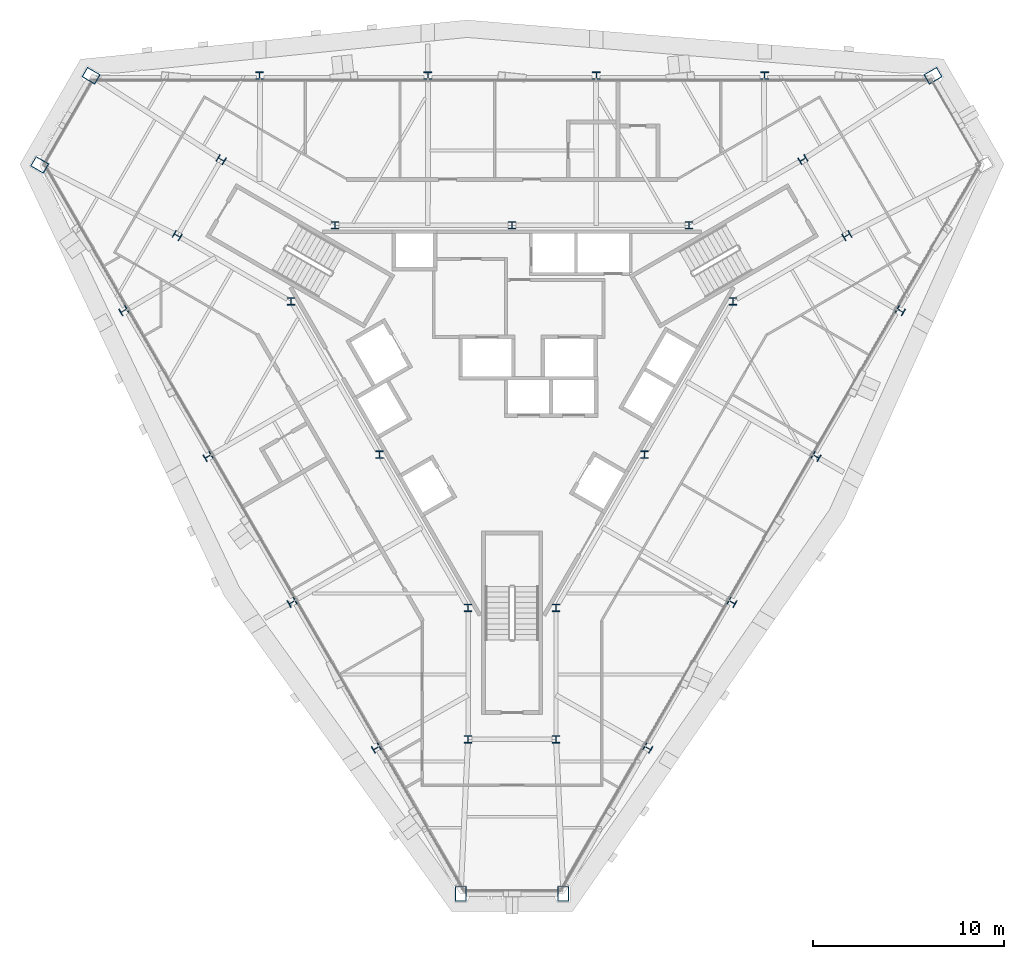
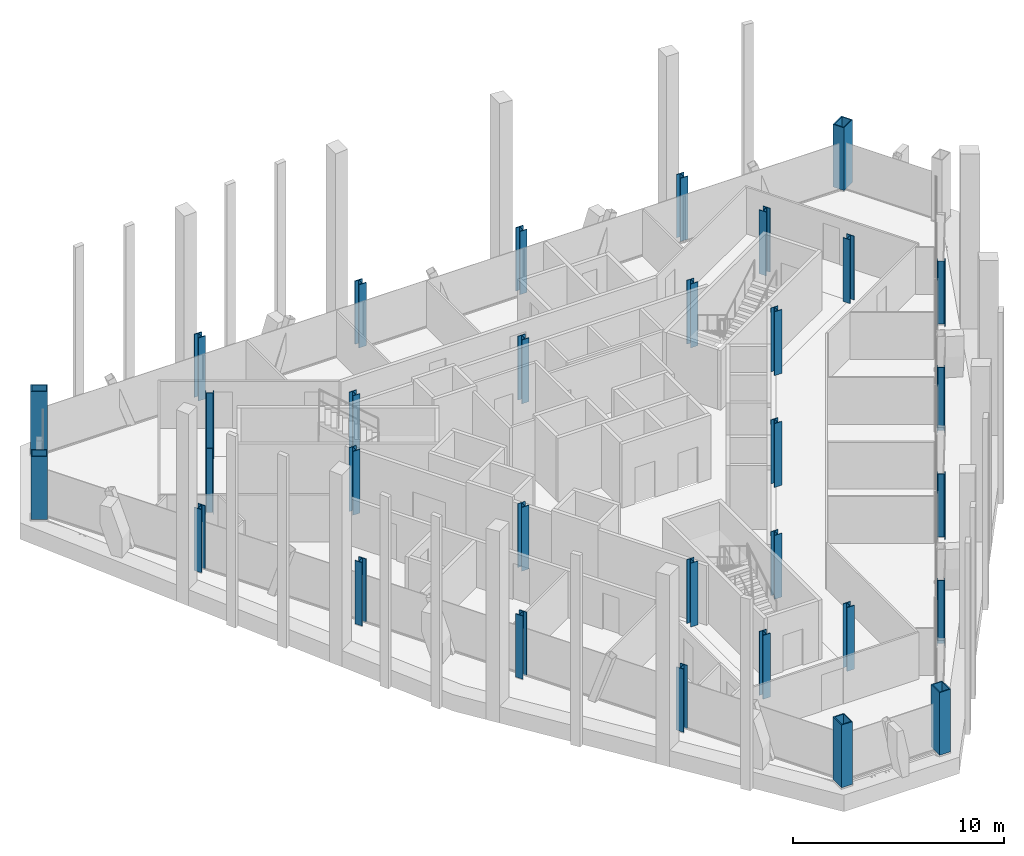
# One storey, part 1 of 14: 32 columns.
"""IFC4 building model written with IfcOpenShell, lengths in metres."""

from ifc_helpers import new_model, si_unit, direction, frame, origin, origin_2d, place, context, subcontext, project, spatial, hollow_rectangle, i_section, extrude, material, material_profile, profile_set, type_object, element, save


model = new_model("IFC4")

# Units and contexts
model_context = context("Model", 3, precision=1e-05, world=origin(), true_north=direction((0.0, 1.0)))
body_context = subcontext(model_context, "Body", "Model", "MODEL_VIEW")
ifc_project = project(units=[si_unit("LENGTHUNIT", "METRE"), si_unit("AREAUNIT", "SQUARE_METRE"), si_unit("VOLUMEUNIT", "CUBIC_METRE"), si_unit("PLANEANGLEUNIT", "RADIAN"), si_unit("MASSUNIT", "GRAM", prefix="KILO")], contexts=[model_context])

# Site, building, storey
site_placement = place(None, origin())
site = spatial("IfcSite", under=ifc_project, at=site_placement, CompositionType="ELEMENT")
building_placement = place(site_placement, origin())
building = spatial("IfcBuilding", under=site, at=building_placement, Name="Verrane Prism Tower", CompositionType="ELEMENT")
storey_placement = place(building_placement, frame((0.0, 0.0, 217.5)))
storey = spatial("IfcBuildingStorey", under=building, at=storey_placement, Name="L54", CompositionType="ELEMENT", Elevation=217.5)

# Columns
ifc_material_1 = material(Name="Steel A992", Category="steel")
ifc_material_profile_1 = material_profile(ifc_material_1, i_section(OverallWidth=0.4013671875, OverallDepth=0.398681640625, WebThickness=0.02490234375, FlangeThickness=0.03955078125, FilletRadius=0.01513671875, at=origin_2d()), Name="W14x211")
ifc_profile_set_1 = profile_set([ifc_material_profile_1], Name="Steel A992")
column_type_1 = type_object("IfcColumnType", Name="Core corner column W14x211", PredefinedType="COLUMN", material=ifc_profile_set_1)
for number, where, z_axis, x_axis, name in (
    (1, (17.52001953125, 7.4599609375, 0.0), (0.0, 0.0, 1.0), (0.5, -0.866025403784, 0.0), "Core corner column CK-NEm L54"),
    (2, (15.219970703125, 11.43994140625, 0.0), (0.0, 0.0, 1.0), (0.5, -0.866025403784, 0.0), "Core corner column CK-NEp L54"),
    (3, (-15.219970703125, 11.43994140625, 0.0), (0.0, 0.0, 1.0), (0.5, 0.866025403784, 0.0), "Core corner column CK-NWm L54"),
    (4, (-17.52001953125, 7.4599609375, 0.0), (0.0, 0.0, 1.0), (0.5, 0.866025403784, 0.0), "Core corner column CK-NWp L54"),
    (5, (-2.300048828125, -18.89990234375, 0.0), (0.0, 0.0, 1.0), (-1.0, 0.0, 0.0), "Core corner column CK-Sm L54"),
    (6, (2.300048828125, -18.89990234375, 0.0), (0.0, 0.0, 1.0), (-1.0, 0.0, 0.0), "Core corner column CK-Sp L54"),
):
    element("IfcColumn", number, at=place(storey_placement, frame(where, z_axis=z_axis, x_axis=x_axis)), inside=storey, type_object=column_type_1, Name=name, PredefinedType="COLUMN", context=body_context, shape_type="SweptSolid", body=[
        extrude(i_section(OverallWidth=0.4013671875, OverallDepth=0.398681640625, WebThickness=0.02490234375, FlangeThickness=0.03955078125, FilletRadius=0.01513671875, at=origin_2d()), origin(), (0.0, 0.0, 1.0), 3.699951171875),
    ])
ifc_material_2 = material(Name="Steel A992", Category="steel")
ifc_material_profile_2 = material_profile(ifc_material_2, i_section(OverallWidth=0.398681640625, OverallDepth=0.385986328125, WebThickness=0.02099609375, FlangeThickness=0.033203125, FilletRadius=0.01513671875, at=origin_2d()), Name="W14x176")
ifc_profile_set_2 = profile_set([ifc_material_profile_2], Name="Steel A992")
column_type_2 = type_object("IfcColumnType", Name="Core side column W14x176", PredefinedType="COLUMN", material=ifc_profile_set_2)
for number, where, z_axis, x_axis, name in (
    (7, (11.56005859375, 4.02001953125, 0.0), (0.0, 0.0, 1.0), (1.0, 0.0, 0.0), "Core side column CC-NEm L54"),
    (8, (9.260009765625, 8.0, 0.0), (0.0, 0.0, 1.0), (1.0, 0.0, 0.0), "Core side column CC-NEp L54"),
    (9, (0.0, 8.0, 0.0), (0.0, 0.0, 1.0), (1.0, 0.0, 0.0), "Core side column CC-N0 L54"),
    (10, (-9.260009765625, 8.0, 0.0), (0.0, 0.0, 1.0), (1.0, 0.0, 0.0), "Core side column CC-NWm L54"),
    (11, (-11.56005859375, 4.02001953125, 0.0), (0.0, 0.0, 1.0), (1.0, 0.0, 0.0), "Core side column CC-NWp L54"),
    (12, (-6.929931640625, -4.0, 0.0), (0.0, 0.0, 1.0), (1.0, 0.0, 0.0), "Core side column CC-SW0 L54"),
    (13, (-2.300048828125, -12.02001953125, 0.0), (0.0, 0.0, 1.0), (1.0, 0.0, 0.0), "Core side column CC-Sm L54"),
    (14, (2.300048828125, -12.02001953125, 0.0), (0.0, 0.0, 1.0), (1.0, 0.0, 0.0), "Core side column CC-Sp L54"),
    (15, (6.929931640625, -4.0, 0.0), (0.0, 0.0, 1.0), (1.0, 0.0, 0.0), "Core side column CC-SE0 L54"),
):
    element("IfcColumn", number, at=place(storey_placement, frame(where, z_axis=z_axis, x_axis=x_axis)), inside=storey, type_object=column_type_2, Name=name, PredefinedType="COLUMN", context=body_context, shape_type="SweptSolid", body=[
        extrude(i_section(OverallWidth=0.398681640625, OverallDepth=0.385986328125, WebThickness=0.02099609375, FlangeThickness=0.033203125, FilletRadius=0.01513671875, at=origin_2d()), origin(), (0.0, 0.0, 1.0), 3.699951171875),
    ])
ifc_material_3 = material(Name="Steel A572 Grade 50", Category="steel")
ifc_material_profile_3 = material_profile(ifc_material_3, hollow_rectangle(XDim=0.60009765625, YDim=0.800048828125, WallThickness=0.050048828125, at=origin_2d()), Name="BOX 800x600x50")
ifc_profile_set_3 = profile_set([ifc_material_profile_3], Name="Steel A572 Grade 50")
column_type_3 = type_object("IfcColumnType", Name="Megacolumn BOX 800x600x50", PredefinedType="COLUMN", material=ifc_profile_set_3)
for number, where, z_axis, x_axis, name in (
    (16, (22.030029296875, 15.830078125, 0.06494140625), (0.0, 0.0, 1.0), (0.5, -0.866025403784, 0.0), "Megacolumn MC-NE.b L54"),
    (17, (-22.030029296875, 15.830078125, 0.06494140625), (0.0, 0.0, 1.0), (0.5, 0.866025403784, 0.0), "Megacolumn MC-NW.a L54"),
    (18, (-24.719970703125, 11.159912109375, 0.06494140625), (0.0, 0.0, 1.0), (0.5, 0.866025403784, 0.0), "Megacolumn MC-NW.b L54"),
    (19, (-2.68994140625, -26.989990234375, 0.06494140625), (0.0, 0.0, 1.0), (-1.0, 0.0, 0.0), "Megacolumn MC-S.a L54"),
    (20, (2.68994140625, -26.989990234375, 0.06494140625), (0.0, 0.0, 1.0), (-1.0, 0.0, 0.0), "Megacolumn MC-S.b L54"),
):
    element("IfcColumn", number, at=place(storey_placement, frame(where, z_axis=z_axis, x_axis=x_axis)), inside=storey, type_object=column_type_3, Name=name, PredefinedType="COLUMN", context=body_context, shape_type="SweptSolid", body=[
        extrude(hollow_rectangle(XDim=0.60009765625, YDim=0.800048828125, WallThickness=0.050048828125, at=origin_2d()), origin(), (0.0, 0.0, 1.0), 3.635009765625),
    ])
ifc_material_4 = material(Name="Steel A992", Category="steel")
ifc_material_profile_4 = material_profile(ifc_material_4, i_section(OverallWidth=0.4013671875, OverallDepth=0.398681640625, WebThickness=0.02490234375, FlangeThickness=0.03955078125, FilletRadius=0.01513671875, at=origin_2d()), Name="W14x211")
ifc_profile_set_4 = profile_set([ifc_material_profile_4], Name="Steel A992")
column_type_4 = type_object("IfcColumnType", Name="Perimeter column W14x211", PredefinedType="COLUMN", material=ifc_profile_set_4)
column_1_placement = place(storey_placement, frame((13.219970703125, 15.830078125, 0.0400390625), z_axis=(0.0, 0.0, 1.0), x_axis=(1.0, 0.0, 0.0)))
element("IfcColumn", 21, at=column_1_placement, inside=storey, type_object=column_type_4, Name="Perimeter column PC-N1 L54", PredefinedType="COLUMN", context=body_context, shape_type="SweptSolid", body=[
    extrude(i_section(OverallWidth=0.4013671875, OverallDepth=0.398681640625, WebThickness=0.02490234375, FlangeThickness=0.03955078125, FilletRadius=0.01513671875, at=origin_2d()), origin(), (0.0, 0.0, 1.0), 3.659912109375),
])
for number, where, z_axis, x_axis, name in (
    (22, (4.409912109375, 15.830078125, 0.034912109375), (0.0, 0.0, 1.0), (1.0, 0.0, 0.0), "Perimeter column PC-N2 L54"),
    (23, (-4.409912109375, 15.830078125, 0.034912109375), (0.0, 0.0, 1.0), (1.0, 0.0, 0.0), "Perimeter column PC-N3 L54"),
):
    element("IfcColumn", number, at=place(storey_placement, frame(where, z_axis=z_axis, x_axis=x_axis)), inside=storey, type_object=column_type_4, Name=name, PredefinedType="COLUMN", context=body_context, shape_type="SweptSolid", body=[
        extrude(i_section(OverallWidth=0.4013671875, OverallDepth=0.398681640625, WebThickness=0.02490234375, FlangeThickness=0.03955078125, FilletRadius=0.01513671875, at=origin_2d()), origin(), (0.0, 0.0, 1.0), 3.6650390625),
    ])
for number, where, z_axis, x_axis, name in (
    (24, (-13.219970703125, 15.830078125, 0.0400390625), (0.0, 0.0, 1.0), (1.0, 0.0, 0.0), "Perimeter column PC-N4 L54"),
    (25, (-20.320068359375, 3.530029296875, 0.0400390625), (0.0, 0.0, 1.0), (-0.5, 0.866025403784, 0.0), "Perimeter column PC-SW1 L54"),
):
    element("IfcColumn", number, at=place(storey_placement, frame(where, z_axis=z_axis, x_axis=x_axis)), inside=storey, type_object=column_type_4, Name=name, PredefinedType="COLUMN", context=body_context, shape_type="SweptSolid", body=[
        extrude(i_section(OverallWidth=0.4013671875, OverallDepth=0.398681640625, WebThickness=0.02490234375, FlangeThickness=0.03955078125, FilletRadius=0.01513671875, at=origin_2d()), origin(), (0.0, 0.0, 1.0), 3.659912109375),
    ])
for number, where, z_axis, x_axis, name in (
    (26, (-15.909912109375, -4.10009765625, 0.034912109375), (0.0, 0.0, 1.0), (-0.5, 0.866025403784, 0.0), "Perimeter column PC-SW2 L54"),
    (27, (-11.510009765625, -11.72998046875, 0.034912109375), (0.0, 0.0, 1.0), (-0.5, 0.866025403784, 0.0), "Perimeter column PC-SW3 L54"),
    (28, (-7.10009765625, -19.360107421875, 0.034912109375), (0.0, 0.0, 1.0), (-0.5, 0.866025403784, 0.0), "Perimeter column PC-SW4 L54"),
    (29, (7.10009765625, -19.360107421875, 0.034912109375), (0.0, 0.0, 1.0), (-0.5, -0.866025403784, 0.0), "Perimeter column PC-SE1 L54"),
    (30, (11.510009765625, -11.72998046875, 0.034912109375), (0.0, 0.0, 1.0), (-0.5, -0.866025403784, 0.0), "Perimeter column PC-SE2 L54"),
    (31, (15.909912109375, -4.10009765625, 0.034912109375), (0.0, 0.0, 1.0), (-0.5, -0.866025403784, 0.0), "Perimeter column PC-SE3 L54"),
):
    element("IfcColumn", number, at=place(storey_placement, frame(where, z_axis=z_axis, x_axis=x_axis)), inside=storey, type_object=column_type_4, Name=name, PredefinedType="COLUMN", context=body_context, shape_type="SweptSolid", body=[
        extrude(i_section(OverallWidth=0.4013671875, OverallDepth=0.398681640625, WebThickness=0.02490234375, FlangeThickness=0.03955078125, FilletRadius=0.01513671875, at=origin_2d()), origin(), (0.0, 0.0, 1.0), 3.6650390625),
    ])
column_2_placement = place(storey_placement, frame((20.320068359375, 3.530029296875, 0.0400390625), z_axis=(0.0, 0.0, 1.0), x_axis=(-0.5, -0.866025403784, 0.0)))
element("IfcColumn", 32, at=column_2_placement, inside=storey, type_object=column_type_4, Name="Perimeter column PC-SE4 L54", PredefinedType="COLUMN", context=body_context, shape_type="SweptSolid", body=[
    extrude(i_section(OverallWidth=0.4013671875, OverallDepth=0.398681640625, WebThickness=0.02490234375, FlangeThickness=0.03955078125, FilletRadius=0.01513671875, at=origin_2d()), origin(), (0.0, 0.0, 1.0), 3.659912109375),
])

save(model, "model.ifc")
